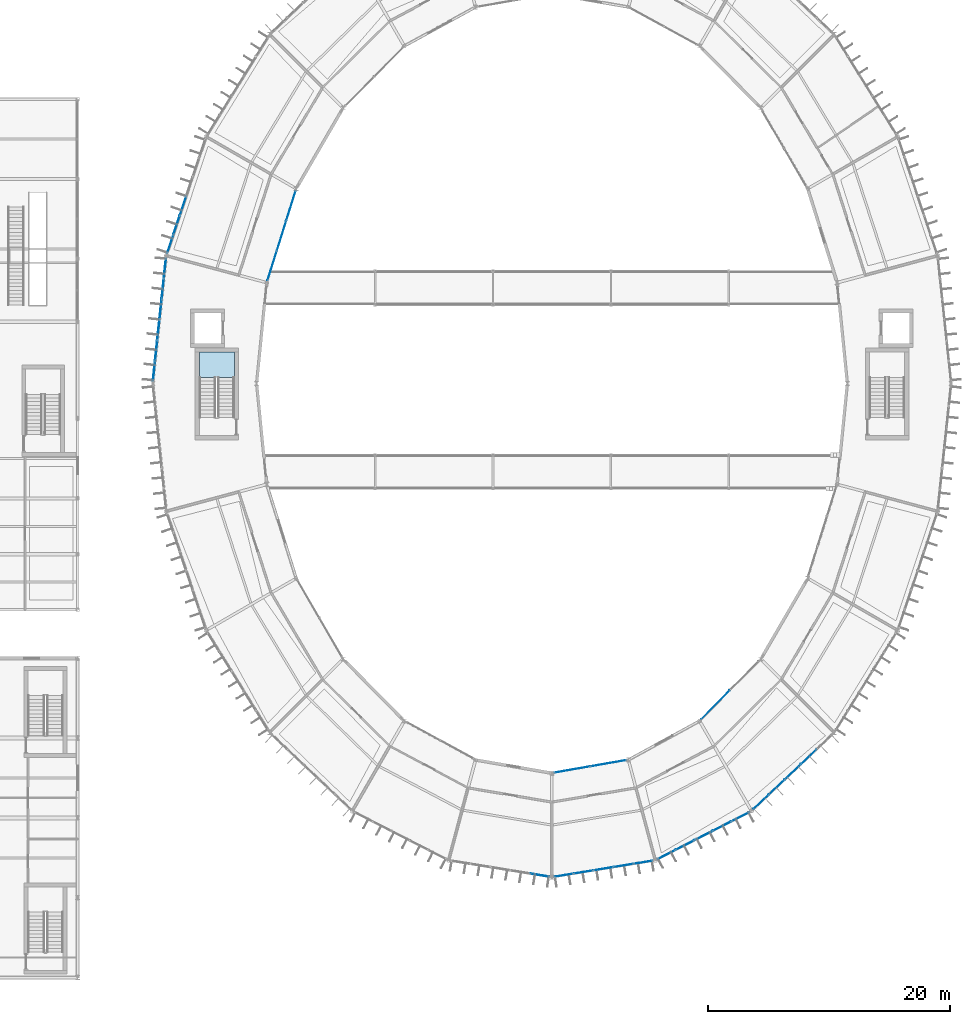
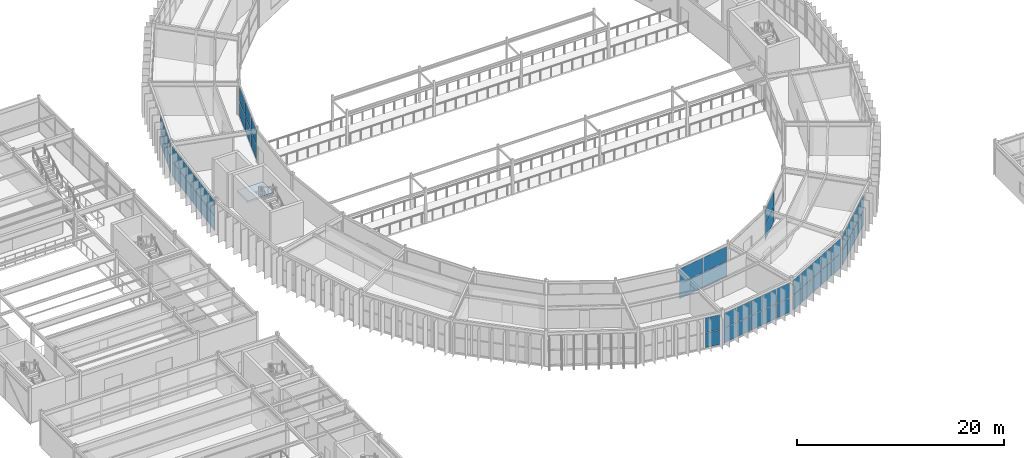
# One storey, part 101 of 148: 60 plates, 1 slab, 10 elements without a shape of their own.
"""IFC4 building model written with IfcOpenShell, lengths in metres."""

import ifcopenshell
import ifcopenshell.guid

model = None  # the IFC model being written
_history = None  # IfcOwnerHistory: only IFC2X3 demands one
_inside = {}  # id of a spatial element -> (the spatial element, [elements in it])
_under = {}  # id of a project, library or spatial element -> (it, [spatial elements below it])
_declared = {}  # id of a project -> (the project, [libraries it declares])
_typed = {}  # id of a type object -> (the type object, [elements of that type])
_made_of = {}  # id of a material, layer set ... -> (it, [elements and type objects made of it])


def new_model(schema):
    """Start an empty IFC model of exactly this schema.

    Asked for "IFC4X3", IfcOpenShell would pick the latest addendum, in which some entities
    have other attributes; the version numbers below select the first issue.
    IFC2X3 requires an IfcOwnerHistory on every rooted entity: one is made here for all.
    """
    global model, _history
    if schema == "IFC4X3":
        model = ifcopenshell.file(schema_version=(4, 3, 0, 0))
    else:
        model = ifcopenshell.file(schema=schema)
    _inside.clear()
    _under.clear()
    _declared.clear()
    _typed.clear()
    _made_of.clear()
    _history = None
    if model.schema == "IFC2X3":
        org = make("IfcOrganization", Name="unknown")
        user = make(
            "IfcPersonAndOrganization",
            ThePerson=make("IfcPerson", FamilyName="unknown"),
            TheOrganization=org,
        )
        app = make(
            "IfcApplication",
            ApplicationDeveloper=org,
            Version="unknown",
            ApplicationFullName="unknown",
            ApplicationIdentifier="unknown",
        )
        _history = make(
            "IfcOwnerHistory",
            OwningUser=user,
            OwningApplication=app,
            ChangeAction="ADDED",
            CreationDate=0,
        )
    return model


def make(cls, **values):
    """One entity of the class cls with the attributes given. An attribute that is None is left unset."""
    return model.create_entity(
        cls, **{name: value for name, value in values.items() if value is not None}
    )


def rooted(cls, **values):
    """An entity with a GlobalId (a new one), such as an element, a storey or a relation."""
    return make(cls, GlobalId=ifcopenshell.guid.new(), OwnerHistory=_history, **values)


def si_unit(unit_type, name, prefix=None):
    """IfcSIUnit, for example si_unit("LENGTHUNIT", "METRE", prefix="MILLI")."""
    return make("IfcSIUnit", UnitType=unit_type, Prefix=prefix, Name=name)


def assignment(units):
    """IfcUnitAssignment: the units of a project."""
    return None if units is None else make("IfcUnitAssignment", Units=units)


def point(xyz):
    """IfcCartesianPoint."""
    return None if xyz is None else make("IfcCartesianPoint", Coordinates=xyz)


def direction(xyz):
    """IfcDirection."""
    return None if xyz is None else make("IfcDirection", DirectionRatios=xyz)


def frame(location, z_axis=None, x_axis=None):
    """IfcAxis2Placement3D, a coordinate frame: its origin and axes. An axis left out is left unset."""
    return make(
        "IfcAxis2Placement3D",
        Location=point(location),
        Axis=direction(z_axis),
        RefDirection=direction(x_axis),
    )


def frame_2d(location, x_axis=None):
    """IfcAxis2Placement2D, a coordinate frame in the plane: its origin and x axis."""
    return make(
        "IfcAxis2Placement2D", Location=point(location), RefDirection=direction(x_axis)
    )


def origin():
    """The frame at (0, 0, 0) with its axes left unset."""
    return frame((0.0, 0.0, 0.0))


def origin_2d():
    """The frame at (0, 0) in the plane with its x axis left unset."""
    return frame_2d((0.0, 0.0))


def place(relative_to, where):
    """IfcLocalPlacement: puts the frame where relative to a parent placement (None: the world)."""
    return make(
        "IfcLocalPlacement", PlacementRelTo=relative_to, RelativePlacement=where
    )


def context(
    kind, dimensions, precision=None, world=None, true_north=None, identifier=None
):
    """IfcGeometricRepresentationContext, for example the 3D "Model" context."""
    return make(
        "IfcGeometricRepresentationContext",
        ContextIdentifier=identifier,
        ContextType=kind,
        CoordinateSpaceDimension=dimensions,
        Precision=precision,
        WorldCoordinateSystem=world,
        TrueNorth=true_north,
    )


def subcontext(parent, identifier, kind, view, scale=None):
    """IfcGeometricRepresentationSubContext, for example "Body" below "Model"."""
    return make(
        "IfcGeometricRepresentationSubContext",
        ContextIdentifier=identifier,
        ContextType=kind,
        ParentContext=parent,
        TargetScale=scale,
        TargetView=view,
    )


def project(units=None, contexts=None):
    """IfcProject with its units and contexts."""
    return rooted(
        "IfcProject",
        Name="project",
        RepresentationContexts=contexts,
        UnitsInContext=assignment(units),
    )


def spatial(cls, under=None, at=None, **own):
    """A site, building, storey or space (cls), placed at a placement, below another one or the project."""
    s = rooted(cls, ObjectPlacement=at, **own)
    if under is not None:
        _under.setdefault(under.id(), (under, []))[1].append(s)
    return s


def polyline(points):
    """IfcPolyline through the points."""
    return make("IfcPolyline", Points=[point(p) for p in points])


def profile(cls, at=None, kind="AREA", **sizes):
    """A parametric profile (cls). Its sizes go by their IFC names, for example OverallWidth=200.0."""
    return make(cls, ProfileType=kind, Position=at, **sizes)


def rectangle(**sizes):
    """IfcRectangleProfileDef."""
    return profile("IfcRectangleProfileDef", **sizes)


def outline(outer, holes=None, kind="AREA"):
    """IfcArbitraryClosedProfileDef: a profile drawn as a closed curve; with holes, ...WithVoids."""
    if holes is None:
        return make("IfcArbitraryClosedProfileDef", ProfileType=kind, OuterCurve=outer)
    return make(
        "IfcArbitraryProfileDefWithVoids",
        ProfileType=kind,
        OuterCurve=outer,
        InnerCurves=holes,
    )


def extrude(swept, where, along, depth):
    """IfcExtrudedAreaSolid: the profile swept, set in the frame where, extruded along a direction by depth."""
    return make(
        "IfcExtrudedAreaSolid",
        SweptArea=swept,
        Position=where,
        ExtrudedDirection=direction(along),
        Depth=depth,
    )


def shape(context_of_items, identifier, shape_type, items):
    """IfcShapeRepresentation: the items that make up one representation, for example the "Body"."""
    return make(
        "IfcShapeRepresentation",
        ContextOfItems=context_of_items,
        RepresentationIdentifier=identifier,
        RepresentationType=shape_type,
        Items=items,
    )


def material(Name=None, Category=None):
    """IfcMaterial."""
    return make("IfcMaterial", Name=Name, Category=Category)


def layer(
    of_material, thickness, ventilated=None, Name=None, Category=None, Priority=None
):
    """IfcMaterialLayer: one layer of a wall or slab, of a material (None: an air gap)."""
    return make(
        "IfcMaterialLayer",
        Material=of_material,
        LayerThickness=thickness,
        IsVentilated=ventilated,
        Name=Name,
        Category=Category,
        Priority=Priority,
    )


def layer_set(layers, Name=None):
    """IfcMaterialLayerSet."""
    return make("IfcMaterialLayerSet", MaterialLayers=layers, LayerSetName=Name)


def made_of(thing, what):
    """Note that an element or type object is made of a material, layer set ...; save() writes the relation."""
    if what is not None:
        _made_of.setdefault(what.id(), (what, []))[1].append(thing)
    return thing


def type_object(cls, material=None, **own):
    """A type object (cls), such as IfcWallType, which elements share."""
    return made_of(rooted(cls, **own), material)


def element(
    cls,
    number,
    at=None,
    inside=None,
    cuts=None,
    type_object=None,
    material=None,
    context=None,
    identifier="Body",
    shape_type=None,
    held_by="IfcProductDefinitionShape",
    body=None,
    shapes=None,
    **own,
):
    """One element of the class cls, such as IfcWall. Its Tag is "e" and its number.

    at: its placement. inside: the storey or other place that contains it. cuts: it is an
    opening in that element (IfcRelVoidsElement). A single representation is given by context,
    identifier, shape_type and body (its items); several are given by shapes. held_by: the class
    of the entity that holds the representations. save() writes the other relations.
    """
    e = rooted(cls, Tag="e%d" % number, ObjectPlacement=at, **own)
    if body is not None:
        shapes = [shape(context, identifier, shape_type, body)]
    if shapes is not None:
        e.Representation = make(held_by, Representations=shapes)
    if inside is not None:
        _inside.setdefault(inside.id(), (inside, []))[1].append(e)
    if cuts is not None:
        rooted(
            "IfcRelVoidsElement", RelatingBuildingElement=cuts, RelatedOpeningElement=e
        )
    if type_object is not None:
        _typed.setdefault(type_object.id(), (type_object, []))[1].append(e)
    return made_of(e, material)


def aggregate(whole, parts):
    """IfcRelAggregates: a whole, such as a stair, and the parts it consists of."""
    return rooted("IfcRelAggregates", RelatingObject=whole, RelatedObjects=parts)


def save(model, path):
    """Write the relations noted so far, then the file.

    IfcRelAggregates (storeys below a building ...), IfcRelContainedInSpatialStructure (elements
    in a storey), IfcRelDefinesByType, IfcRelAssociatesMaterial and IfcRelDeclares: one each for
    every whole, place, type object, material and project.
    """
    for whole, parts in _under.values():
        aggregate(whole, parts)
    for where, things in _inside.values():
        rooted(
            "IfcRelContainedInSpatialStructure",
            RelatedElements=things,
            RelatingStructure=where,
        )
    for kind, things in _typed.values():
        rooted("IfcRelDefinesByType", RelatedObjects=things, RelatingType=kind)
    for what, things in _made_of.values():
        rooted("IfcRelAssociatesMaterial", RelatedObjects=things, RelatingMaterial=what)
    for by, libraries in _declared.values():
        rooted("IfcRelDeclares", RelatingContext=by, RelatedDefinitions=libraries)
    model.write(path)


model = new_model("IFC4")

# Units and contexts
model_context = context("Model", 3, precision=1e-05, world=origin(), true_north=direction((0.0, 1.0)))
body_context = subcontext(model_context, "Body", "Model", "MODEL_VIEW")
ifc_project = project(units=[si_unit("LENGTHUNIT", "METRE"), si_unit("AREAUNIT", "SQUARE_METRE"), si_unit("VOLUMEUNIT", "CUBIC_METRE"), si_unit("PLANEANGLEUNIT", "RADIAN"), si_unit("MASSUNIT", "GRAM", prefix="KILO")], contexts=[model_context])

# Site, building, storey
site_placement = place(None, origin())
site = spatial("IfcSite", under=ifc_project, at=site_placement, CompositionType="ELEMENT")
building_placement = place(site_placement, origin())
building = spatial("IfcBuilding", under=site, at=building_placement, Name="Karori Crest Natural Sciences Institute", CompositionType="ELEMENT")
storey_placement = place(building_placement, frame((0.0, 0.0, 4.89990234375)))
storey = spatial("IfcBuildingStorey", under=building, at=storey_placement, Name="L01", CompositionType="ELEMENT", Elevation=4.89990234375)

# Curtain wall, plates
ifc_material_1 = material(Name="Anodised architectural aluminium 6063-T6", Category="aluminium")
curtain_wall_type_1 = type_object("IfcCurtainWallType", Name="CWT-11", PredefinedType="NOTDEFINED", material=ifc_material_1)
curtain_wall_1_placement = place(storey_placement, origin())
curtain_wall_1 = element("IfcCurtainWall", 1, at=curtain_wall_1_placement, inside=storey, type_object=curtain_wall_type_1, Name="Curtain wall CW-0046", PredefinedType="NOTDEFINED")
ifc_material_2 = material(Name="Double low-E laminated glass", Category="glass")
ifc_layer_1 = layer(ifc_material_2, 0.02392578125, Name="Double low-E laminated glass")
ifc_layer_set_1 = layer_set([ifc_layer_1], Name="Double low-E laminated glass")
plate_type_1 = type_object("IfcPlateType", Name="CWP-01", PredefinedType="CURTAIN_PANEL", material=ifc_layer_set_1)
plate_1_placement = place(storey_placement, frame((44.824951171875, 64.584716796875, 0.06005859375), z_axis=(0.0, 0.0, 1.0), x_axis=(-0.2994765864, -0.954103649609, 0.0)))
plate_1 = element("IfcPlate", 2, at=plate_1_placement, type_object=plate_type_1, Name="CW-0046 panel 1.1", PredefinedType="CURTAIN_PANEL", context=body_context, shape_type="SweptSolid", body=[
    extrude(rectangle(XDim=2.517822265625, YDim=0.02392578125, at=origin_2d()), origin(), (0.0, 0.0, 1.0), 1.735107421875),
])
plate_2_placement = place(storey_placement, frame((44.824951171875, 64.584716796875, 1.85498046875), z_axis=(0.0, 0.0, 1.0), x_axis=(-0.2994765864, -0.954103649609, 0.0)))
plate_2 = element("IfcPlate", 3, at=plate_2_placement, type_object=plate_type_1, Name="CW-0046 panel 1.2", PredefinedType="CURTAIN_PANEL", context=body_context, shape_type="SweptSolid", body=[
    extrude(rectangle(XDim=2.517822265625, YDim=0.02392578125, at=origin_2d()), origin(), (0.0, 0.0, 1.0), 1.735107421875),
])
plate_3_placement = place(storey_placement, frame((44.04638671875, 62.10498046875, 0.06005859375), z_axis=(0.0, 0.0, 1.0), x_axis=(-0.2994765864, -0.954103649609, 0.0)))
plate_3 = element("IfcPlate", 4, at=plate_3_placement, type_object=plate_type_1, Name="CW-0046 panel 2.1", PredefinedType="CURTAIN_PANEL", context=body_context, shape_type="SweptSolid", body=[
    extrude(rectangle(XDim=2.55029296875, YDim=0.02392578125, at=origin_2d()), origin(), (0.0, 0.0, 1.0), 1.735107421875),
])
plate_4_placement = place(storey_placement, frame((44.04638671875, 62.10498046875, 1.85498046875), z_axis=(0.0, 0.0, 1.0), x_axis=(-0.2994765864, -0.954103649609, 0.0)))
plate_4 = element("IfcPlate", 5, at=plate_4_placement, type_object=plate_type_1, Name="CW-0046 panel 2.2", PredefinedType="CURTAIN_PANEL", context=body_context, shape_type="SweptSolid", body=[
    extrude(rectangle(XDim=2.55029296875, YDim=0.02392578125, at=origin_2d()), origin(), (0.0, 0.0, 1.0), 1.735107421875),
])
plate_5_placement = place(storey_placement, frame((43.26806640625, 59.62548828125, 0.06005859375), z_axis=(0.0, 0.0, 1.0), x_axis=(-0.2994765864, -0.954103649609, 0.0)))
plate_5 = element("IfcPlate", 6, at=plate_5_placement, type_object=plate_type_1, Name="CW-0046 panel 3.1", PredefinedType="CURTAIN_PANEL", context=body_context, shape_type="SweptSolid", body=[
    extrude(rectangle(XDim=2.517822265625, YDim=0.02392578125, at=origin_2d()), origin(), (0.0, 0.0, 1.0), 1.735107421875),
])
plate_6_placement = place(storey_placement, frame((43.26806640625, 59.62548828125, 1.85498046875), z_axis=(0.0, 0.0, 1.0), x_axis=(-0.2994765864, -0.954103649609, 0.0)))
plate_6 = element("IfcPlate", 7, at=plate_6_placement, type_object=plate_type_1, Name="CW-0046 panel 3.2", PredefinedType="CURTAIN_PANEL", context=body_context, shape_type="SweptSolid", body=[
    extrude(rectangle(XDim=2.517822265625, YDim=0.02392578125, at=origin_2d()), origin(), (0.0, 0.0, 1.0), 1.735107421875),
])
aggregate(curtain_wall_1, [plate_1, plate_2, plate_3, plate_4, plate_5, plate_6])

curtain_wall_type_2 = type_object("IfcCurtainWallType", Name="CWT-09", PredefinedType="NOTDEFINED", material=ifc_material_1)
curtain_wall_2_placement = place(storey_placement, origin())
curtain_wall_2 = element("IfcCurtainWall", 8, at=curtain_wall_2_placement, inside=storey, type_object=curtain_wall_type_2, Name="Curtain wall CW-0056", PredefinedType="NOTDEFINED")
plate_7_placement = place(storey_placement, frame((73.927490234375, 10.3251953125, 0.06494140625), z_axis=(0.0, 0.0, 1.0), x_axis=(-0.987010371927, -0.1606565458, 0.0)))
plate_7 = element("IfcPlate", 9, at=plate_7_placement, type_object=plate_type_1, Name="CW-0056 panel 1.1", PredefinedType="CURTAIN_PANEL", context=body_context, shape_type="SweptSolid", body=[
    extrude(rectangle(XDim=1.552001953125, YDim=0.02392578125, at=origin_2d()), origin(), (0.0, 0.0, 1.0), 1.715087890625),
])
plate_8_placement = place(storey_placement, frame((73.927490234375, 10.3251953125, 1.84521484375), z_axis=(0.0, 0.0, 1.0), x_axis=(-0.987010371927, -0.1606565458, 0.0)))
plate_8 = element("IfcPlate", 10, at=plate_8_placement, type_object=plate_type_1, Name="CW-0056 panel 1.2", PredefinedType="CURTAIN_PANEL", context=body_context, shape_type="SweptSolid", body=[
    extrude(rectangle(XDim=1.552001953125, YDim=0.02392578125, at=origin_2d()), origin(), (0.0, 0.0, 1.0), 1.715087890625),
])
plate_9_placement = place(storey_placement, frame((72.30322265625, 10.060791015625, 0.06494140625), z_axis=(0.0, 0.0, 1.0), x_axis=(-0.987010371927, -0.1606565458, 0.0)))
plate_9 = element("IfcPlate", 11, at=plate_9_placement, type_object=plate_type_1, Name="CW-0056 panel 2.1", PredefinedType="CURTAIN_PANEL", context=body_context, shape_type="SweptSolid", body=[
    extrude(rectangle(XDim=1.58935546875, YDim=0.02392578125, at=origin_2d()), origin(), (0.0, 0.0, 1.0), 1.715087890625),
])
plate_10_placement = place(storey_placement, frame((72.30322265625, 10.060791015625, 1.84521484375), z_axis=(0.0, 0.0, 1.0), x_axis=(-0.987010371927, -0.1606565458, 0.0)))
plate_10 = element("IfcPlate", 12, at=plate_10_placement, type_object=plate_type_1, Name="CW-0056 panel 2.2", PredefinedType="CURTAIN_PANEL", context=body_context, shape_type="SweptSolid", body=[
    extrude(rectangle(XDim=1.58935546875, YDim=0.02392578125, at=origin_2d()), origin(), (0.0, 0.0, 1.0), 1.715087890625),
])
plate_11_placement = place(storey_placement, frame((70.660400390625, 9.79345703125, 0.06494140625), z_axis=(0.0, 0.0, 1.0), x_axis=(-0.987010371927, -0.1606565458, 0.0)))
plate_11 = element("IfcPlate", 13, at=plate_11_placement, type_object=plate_type_1, Name="CW-0056 panel 3.1", PredefinedType="CURTAIN_PANEL", context=body_context, shape_type="SweptSolid", body=[
    extrude(rectangle(XDim=1.58935546875, YDim=0.02392578125, at=origin_2d()), origin(), (0.0, 0.0, 1.0), 1.715087890625),
])
plate_12_placement = place(storey_placement, frame((70.660400390625, 9.79345703125, 1.84521484375), z_axis=(0.0, 0.0, 1.0), x_axis=(-0.987010371927, -0.1606565458, 0.0)))
plate_12 = element("IfcPlate", 14, at=plate_12_placement, type_object=plate_type_1, Name="CW-0056 panel 3.2", PredefinedType="CURTAIN_PANEL", context=body_context, shape_type="SweptSolid", body=[
    extrude(rectangle(XDim=1.58935546875, YDim=0.02392578125, at=origin_2d()), origin(), (0.0, 0.0, 1.0), 1.715087890625),
])
plate_13_placement = place(storey_placement, frame((69.017578125, 9.526123046875, 0.06494140625), z_axis=(0.0, 0.0, 1.0), x_axis=(-0.987010371927, -0.1606565458, 0.0)))
plate_13 = element("IfcPlate", 15, at=plate_13_placement, type_object=plate_type_1, Name="CW-0056 panel 4.1", PredefinedType="CURTAIN_PANEL", context=body_context, shape_type="SweptSolid", body=[
    extrude(rectangle(XDim=1.58935546875, YDim=0.02392578125, at=origin_2d()), origin(), (0.0, 0.0, 1.0), 1.715087890625),
])
plate_14_placement = place(storey_placement, frame((69.017578125, 9.526123046875, 1.84521484375), z_axis=(0.0, 0.0, 1.0), x_axis=(-0.987010371927, -0.1606565458, 0.0)))
plate_14 = element("IfcPlate", 16, at=plate_14_placement, type_object=plate_type_1, Name="CW-0056 panel 4.2", PredefinedType="CURTAIN_PANEL", context=body_context, shape_type="SweptSolid", body=[
    extrude(rectangle(XDim=1.58935546875, YDim=0.02392578125, at=origin_2d()), origin(), (0.0, 0.0, 1.0), 1.715087890625),
])
plate_15_placement = place(storey_placement, frame((67.393310546875, 9.26171875, 0.06494140625), z_axis=(0.0, 0.0, 1.0), x_axis=(-0.987010371927, -0.1606565458, 0.0)))
plate_15 = element("IfcPlate", 17, at=plate_15_placement, type_object=plate_type_1, Name="CW-0056 panel 5.1", PredefinedType="CURTAIN_PANEL", context=body_context, shape_type="SweptSolid", body=[
    extrude(rectangle(XDim=1.552001953125, YDim=0.02392578125, at=origin_2d()), origin(), (0.0, 0.0, 1.0), 1.715087890625),
])
plate_16_placement = place(storey_placement, frame((67.393310546875, 9.26171875, 1.84521484375), z_axis=(0.0, 0.0, 1.0), x_axis=(-0.987010371927, -0.1606565458, 0.0)))
plate_16 = element("IfcPlate", 18, at=plate_16_placement, type_object=plate_type_1, Name="CW-0056 panel 5.2", PredefinedType="CURTAIN_PANEL", context=body_context, shape_type="SweptSolid", body=[
    extrude(rectangle(XDim=1.552001953125, YDim=0.02392578125, at=origin_2d()), origin(), (0.0, 0.0, 1.0), 1.715087890625),
])
aggregate(curtain_wall_2, [plate_7, plate_8, plate_9, plate_10, plate_11, plate_12, plate_13, plate_14, plate_15, plate_16])

curtain_wall_type_3 = type_object("IfcCurtainWallType", Name="CWT-14", PredefinedType="NOTDEFINED", material=ifc_material_1)
curtain_wall_3_placement = place(storey_placement, origin())
curtain_wall_3 = element("IfcCurtainWall", 19, at=curtain_wall_3_placement, inside=storey, type_object=curtain_wall_type_3, Name="Curtain wall CW-0057", PredefinedType="NOTDEFINED")
plate_17_placement = place(storey_placement, frame((68.07080078125, 17.990234375, 0.06005859375), z_axis=(0.0, 0.0, 1.0), x_axis=(0.985241442821, 0.171170381048, 0.0)))
plate_17 = element("IfcPlate", 20, at=plate_17_placement, type_object=plate_type_1, Name="CW-0057 panel 1.1", PredefinedType="CURTAIN_PANEL", context=body_context, shape_type="SweptSolid", body=[
    extrude(rectangle(XDim=2.9541015625, YDim=0.02392578125, at=origin_2d()), origin(), (0.0, 0.0, 1.0), 1.735107421875),
])
plate_18_placement = place(storey_placement, frame((68.07080078125, 17.990234375, 1.85498046875), z_axis=(0.0, 0.0, 1.0), x_axis=(0.985241442821, 0.171170381048, 0.0)))
plate_18 = element("IfcPlate", 21, at=plate_18_placement, type_object=plate_type_1, Name="CW-0057 panel 1.2", PredefinedType="CURTAIN_PANEL", context=body_context, shape_type="SweptSolid", body=[
    extrude(rectangle(XDim=2.9541015625, YDim=0.02392578125, at=origin_2d()), origin(), (0.0, 0.0, 1.0), 1.735107421875),
])
plate_19_placement = place(storey_placement, frame((71.04541015625, 18.507080078125, 0.06005859375), z_axis=(0.0, 0.0, 1.0), x_axis=(0.985241442821, 0.171170381048, 0.0)))
plate_19 = element("IfcPlate", 22, at=plate_19_placement, type_object=plate_type_1, Name="CW-0057 panel 2.1", PredefinedType="CURTAIN_PANEL", context=body_context, shape_type="SweptSolid", body=[
    extrude(rectangle(XDim=2.9541015625, YDim=0.02392578125, at=origin_2d()), origin(), (0.0, 0.0, 1.0), 1.735107421875),
])
plate_20_placement = place(storey_placement, frame((71.04541015625, 18.507080078125, 1.85498046875), z_axis=(0.0, 0.0, 1.0), x_axis=(0.985241442821, 0.171170381048, 0.0)))
plate_20 = element("IfcPlate", 23, at=plate_20_placement, type_object=plate_type_1, Name="CW-0057 panel 2.2", PredefinedType="CURTAIN_PANEL", context=body_context, shape_type="SweptSolid", body=[
    extrude(rectangle(XDim=2.9541015625, YDim=0.02392578125, at=origin_2d()), origin(), (0.0, 0.0, 1.0), 1.735107421875),
])
aggregate(curtain_wall_3, [plate_17, plate_18, plate_19, plate_20])

curtain_wall_4_placement = place(storey_placement, origin())
curtain_wall_4 = element("IfcCurtainWall", 24, at=curtain_wall_4_placement, inside=storey, type_object=curtain_wall_type_1, Name="Curtain wall CW-0060", PredefinedType="NOTDEFINED")
plate_21_placement = place(storey_placement, frame((79.90771484375, 23.338134765625, 0.06005859375), z_axis=(0.0, 0.0, 1.0), x_axis=(0.70265631089, 0.71152941525, 0.0)))
plate_21 = element("IfcPlate", 25, at=plate_21_placement, type_object=plate_type_1, Name="CW-0060 panel 1.1", PredefinedType="CURTAIN_PANEL", context=body_context, shape_type="SweptSolid", body=[
    extrude(rectangle(XDim=3.322998046875, YDim=0.02392578125, at=origin_2d()), origin(), (0.0, 0.0, 1.0), 1.735107421875),
])
plate_22_placement = place(storey_placement, frame((79.90771484375, 23.338134765625, 1.85498046875), z_axis=(0.0, 0.0, 1.0), x_axis=(0.70265631089, 0.71152941525, 0.0)))
plate_22 = element("IfcPlate", 26, at=plate_22_placement, type_object=plate_type_1, Name="CW-0060 panel 1.2", PredefinedType="CURTAIN_PANEL", context=body_context, shape_type="SweptSolid", body=[
    extrude(rectangle(XDim=3.322998046875, YDim=0.02392578125, at=origin_2d()), origin(), (0.0, 0.0, 1.0), 1.735107421875),
])
aggregate(curtain_wall_4, [plate_21, plate_22])

curtain_wall_type_4 = type_object("IfcCurtainWallType", Name="CWT-01", PredefinedType="NOTDEFINED", material=ifc_material_1)
curtain_wall_5_placement = place(storey_placement, origin())
curtain_wall_5 = element("IfcCurtainWall", 27, at=curtain_wall_5_placement, inside=storey, type_object=curtain_wall_type_4, Name="Curtain wall CW-0045", PredefinedType="NOTDEFINED")
ifc_layer_2 = layer(ifc_material_2, 0.033935546875, Name="Double low-E laminated glass")
ifc_layer_set_2 = layer_set([ifc_layer_2], Name="Double low-E laminated glass")
plate_type_2 = type_object("IfcPlateType", Name="CWP-02", PredefinedType="CURTAIN_PANEL", material=ifc_layer_set_2)
plate_23_placement = place(storey_placement, frame((34.846923828125, 61.4228515625, 0.06494140625), z_axis=(0.0, 0.0, 1.0), x_axis=(0.317685267462, 0.948196219586, 0.0)))
plate_23 = element("IfcPlate", 28, at=plate_23_placement, type_object=plate_type_2, Name="CW-0045 panel 1.1", PredefinedType="CURTAIN_PANEL", context=body_context, shape_type="SweptSolid", body=[
    extrude(rectangle(XDim=1.561279296875, YDim=0.033935546875, at=origin_2d()), origin(), (0.0, 0.0, 1.0), 1.715087890625),
])
plate_24_placement = place(storey_placement, frame((34.846923828125, 61.4228515625, 1.84521484375), z_axis=(0.0, 0.0, 1.0), x_axis=(0.317685267462, 0.948196219586, 0.0)))
plate_24 = element("IfcPlate", 29, at=plate_24_placement, type_object=plate_type_2, Name="CW-0045 panel 1.2", PredefinedType="CURTAIN_PANEL", context=body_context, shape_type="SweptSolid", body=[
    extrude(rectangle(XDim=1.561279296875, YDim=0.033935546875, at=origin_2d()), origin(), (0.0, 0.0, 1.0), 1.715087890625),
])
plate_25_placement = place(storey_placement, frame((35.372802734375, 62.991943359375, 0.06494140625), z_axis=(0.0, 0.0, 1.0), x_axis=(0.317685267462, 0.948196219586, 0.0)))
plate_25 = element("IfcPlate", 30, at=plate_25_placement, type_object=plate_type_2, Name="CW-0045 panel 2.1", PredefinedType="CURTAIN_PANEL", context=body_context, shape_type="SweptSolid", body=[
    extrude(rectangle(XDim=1.5986328125, YDim=0.033935546875, at=origin_2d()), origin(), (0.0, 0.0, 1.0), 1.715087890625),
])
plate_26_placement = place(storey_placement, frame((35.372802734375, 62.991943359375, 1.84521484375), z_axis=(0.0, 0.0, 1.0), x_axis=(0.317685267462, 0.948196219586, 0.0)))
plate_26 = element("IfcPlate", 31, at=plate_26_placement, type_object=plate_type_2, Name="CW-0045 panel 2.2", PredefinedType="CURTAIN_PANEL", context=body_context, shape_type="SweptSolid", body=[
    extrude(rectangle(XDim=1.5986328125, YDim=0.033935546875, at=origin_2d()), origin(), (0.0, 0.0, 1.0), 1.715087890625),
])
plate_27_placement = place(storey_placement, frame((35.904541015625, 64.578857421875, 0.06494140625), z_axis=(0.0, 0.0, 1.0), x_axis=(0.317685267462, 0.948196219586, 0.0)))
plate_27 = element("IfcPlate", 32, at=plate_27_placement, type_object=plate_type_2, Name="CW-0045 panel 3.1", PredefinedType="CURTAIN_PANEL", context=body_context, shape_type="SweptSolid", body=[
    extrude(rectangle(XDim=1.5986328125, YDim=0.033935546875, at=origin_2d()), origin(), (0.0, 0.0, 1.0), 1.715087890625),
])
plate_28_placement = place(storey_placement, frame((35.904541015625, 64.578857421875, 1.84521484375), z_axis=(0.0, 0.0, 1.0), x_axis=(0.317685267462, 0.948196219586, 0.0)))
plate_28 = element("IfcPlate", 33, at=plate_28_placement, type_object=plate_type_2, Name="CW-0045 panel 3.2", PredefinedType="CURTAIN_PANEL", context=body_context, shape_type="SweptSolid", body=[
    extrude(rectangle(XDim=1.5986328125, YDim=0.033935546875, at=origin_2d()), origin(), (0.0, 0.0, 1.0), 1.715087890625),
])
aggregate(curtain_wall_5, [plate_23, plate_24, plate_25, plate_26, plate_27, plate_28])

curtain_wall_type_5 = type_object("IfcCurtainWallType", Name="CWT-10", PredefinedType="NOTDEFINED", material=ifc_material_1)
curtain_wall_6_placement = place(storey_placement, origin())
curtain_wall_6 = element("IfcCurtainWall", 34, at=curtain_wall_6_placement, inside=storey, type_object=curtain_wall_type_5, Name="Curtain wall CW-0058", PredefinedType="NOTDEFINED")
plate_29_placement = place(storey_placement, frame((81.974853515625, 14.092529296875, 0.06005859375), z_axis=(0.0, 0.0, 1.0), x_axis=(-0.890065326982, -0.455832988828, 0.0)))
plate_29 = element("IfcPlate", 35, at=plate_29_placement, type_object=plate_type_2, Name="CW-0058 panel 1.1", PredefinedType="CURTAIN_PANEL", context=body_context, shape_type="SweptSolid", body=[
    extrude(rectangle(XDim=1.608642578125, YDim=0.033935546875, at=origin_2d()), origin(), (0.0, 0.0, 1.0), 1.722412109375),
])
plate_30_placement = place(storey_placement, frame((81.974853515625, 14.092529296875, 1.8427734375), z_axis=(0.0, 0.0, 1.0), x_axis=(-0.890065326982, -0.455832988828, 0.0)))
plate_30 = element("IfcPlate", 36, at=plate_30_placement, type_object=plate_type_2, Name="CW-0058 panel 1.2", PredefinedType="CURTAIN_PANEL", context=body_context, shape_type="SweptSolid", body=[
    extrude(rectangle(XDim=1.608642578125, YDim=0.033935546875, at=origin_2d()), origin(), (0.0, 0.0, 1.0), 1.722412109375),
])
plate_31_placement = place(storey_placement, frame((80.45947265625, 13.31640625, 0.06005859375), z_axis=(0.0, 0.0, 1.0), x_axis=(-0.890065326982, -0.455832988828, 0.0)))
plate_31 = element("IfcPlate", 37, at=plate_31_placement, type_object=plate_type_2, Name="CW-0058 panel 2.1", PredefinedType="CURTAIN_PANEL", context=body_context, shape_type="SweptSolid", body=[
    extrude(rectangle(XDim=1.646240234375, YDim=0.033935546875, at=origin_2d()), origin(), (0.0, 0.0, 1.0), 1.722412109375),
])
plate_32_placement = place(storey_placement, frame((80.45947265625, 13.31640625, 1.8427734375), z_axis=(0.0, 0.0, 1.0), x_axis=(-0.890065326982, -0.455832988828, 0.0)))
plate_32 = element("IfcPlate", 38, at=plate_32_placement, type_object=plate_type_2, Name="CW-0058 panel 2.2", PredefinedType="CURTAIN_PANEL", context=body_context, shape_type="SweptSolid", body=[
    extrude(rectangle(XDim=1.646240234375, YDim=0.033935546875, at=origin_2d()), origin(), (0.0, 0.0, 1.0), 1.722412109375),
])
plate_33_placement = place(storey_placement, frame((78.927490234375, 12.53173828125, 0.06005859375), z_axis=(0.0, 0.0, 1.0), x_axis=(-0.890065326982, -0.455832988828, 0.0)))
plate_33 = element("IfcPlate", 39, at=plate_33_placement, type_object=plate_type_2, Name="CW-0058 panel 3.1", PredefinedType="CURTAIN_PANEL", context=body_context, shape_type="SweptSolid", body=[
    extrude(rectangle(XDim=1.646240234375, YDim=0.033935546875, at=origin_2d()), origin(), (0.0, 0.0, 1.0), 1.722412109375),
])
plate_34_placement = place(storey_placement, frame((78.927490234375, 12.53173828125, 1.8427734375), z_axis=(0.0, 0.0, 1.0), x_axis=(-0.890065326982, -0.455832988828, 0.0)))
plate_34 = element("IfcPlate", 40, at=plate_34_placement, type_object=plate_type_2, Name="CW-0058 panel 3.2", PredefinedType="CURTAIN_PANEL", context=body_context, shape_type="SweptSolid", body=[
    extrude(rectangle(XDim=1.646240234375, YDim=0.033935546875, at=origin_2d()), origin(), (0.0, 0.0, 1.0), 1.722412109375),
])
plate_35_placement = place(storey_placement, frame((77.3955078125, 11.747314453125, 0.06005859375), z_axis=(0.0, 0.0, 1.0), x_axis=(-0.890065326982, -0.455832988828, 0.0)))
plate_35 = element("IfcPlate", 41, at=plate_35_placement, type_object=plate_type_2, Name="CW-0058 panel 4.1", PredefinedType="CURTAIN_PANEL", context=body_context, shape_type="SweptSolid", body=[
    extrude(rectangle(XDim=1.646240234375, YDim=0.033935546875, at=origin_2d()), origin(), (0.0, 0.0, 1.0), 1.722412109375),
])
plate_36_placement = place(storey_placement, frame((77.3955078125, 11.747314453125, 1.8427734375), z_axis=(0.0, 0.0, 1.0), x_axis=(-0.890065326982, -0.455832988828, 0.0)))
plate_36 = element("IfcPlate", 42, at=plate_36_placement, type_object=plate_type_2, Name="CW-0058 panel 4.2", PredefinedType="CURTAIN_PANEL", context=body_context, shape_type="SweptSolid", body=[
    extrude(rectangle(XDim=1.646240234375, YDim=0.033935546875, at=origin_2d()), origin(), (0.0, 0.0, 1.0), 1.722412109375),
])
plate_37_placement = place(storey_placement, frame((75.880126953125, 10.97119140625, 0.06005859375), z_axis=(0.0, 0.0, 1.0), x_axis=(-0.890065326982, -0.455832988828, 0.0)))
plate_37 = element("IfcPlate", 43, at=plate_37_placement, type_object=plate_type_2, Name="CW-0058 panel 5.1", PredefinedType="CURTAIN_PANEL", context=body_context, shape_type="SweptSolid", body=[
    extrude(rectangle(XDim=1.608642578125, YDim=0.033935546875, at=origin_2d()), origin(), (0.0, 0.0, 1.0), 1.722412109375),
])
plate_38_placement = place(storey_placement, frame((75.880126953125, 10.97119140625, 1.8427734375), z_axis=(0.0, 0.0, 1.0), x_axis=(-0.890065326982, -0.455832988828, 0.0)))
plate_38 = element("IfcPlate", 44, at=plate_38_placement, type_object=plate_type_2, Name="CW-0058 panel 5.2", PredefinedType="CURTAIN_PANEL", context=body_context, shape_type="SweptSolid", body=[
    extrude(rectangle(XDim=1.608642578125, YDim=0.033935546875, at=origin_2d()), origin(), (0.0, 0.0, 1.0), 1.722412109375),
])
aggregate(curtain_wall_6, [plate_29, plate_30, plate_31, plate_32, plate_33, plate_34, plate_35, plate_36, plate_37, plate_38])

curtain_wall_type_6 = type_object("IfcCurtainWallType", Name="CWT-02", PredefinedType="NOTDEFINED", material=ifc_material_1)
curtain_wall_7_placement = place(storey_placement, origin())
curtain_wall_7 = element("IfcCurtainWall", 45, at=curtain_wall_7_placement, inside=storey, type_object=curtain_wall_type_6, Name="Curtain wall CW-0047", PredefinedType="NOTDEFINED")
ifc_layer_3 = layer(ifc_material_2, 0.0439453125, Name="Double low-E laminated glass")
ifc_layer_set_3 = layer_set([ifc_layer_3], Name="Double low-E laminated glass")
plate_type_3 = type_object("IfcPlateType", Name="CWP-03", PredefinedType="CURTAIN_PANEL", material=ifc_layer_set_3)
plate_39_placement = place(storey_placement, frame((33.510009765625, 50.933349609375, 0.06005859375), z_axis=(0.0, 0.0, 1.0), x_axis=(0.105884329618, 0.994378453478, 0.0)))
plate_39 = element("IfcPlate", 46, at=plate_39_placement, type_object=plate_type_3, Name="CW-0047 panel 1.1", PredefinedType="CURTAIN_PANEL", context=body_context, shape_type="SweptSolid", body=[
    extrude(rectangle(XDim=1.603759765625, YDim=0.0439453125, at=origin_2d()), origin(), (0.0, 0.0, 1.0), 1.722412109375),
])
plate_40_placement = place(storey_placement, frame((33.510009765625, 50.933349609375, 1.8427734375), z_axis=(0.0, 0.0, 1.0), x_axis=(0.105884329618, 0.994378453478, 0.0)))
plate_40 = element("IfcPlate", 47, at=plate_40_placement, type_object=plate_type_3, Name="CW-0047 panel 1.2", PredefinedType="CURTAIN_PANEL", context=body_context, shape_type="SweptSolid", body=[
    extrude(rectangle(XDim=1.603759765625, YDim=0.0439453125, at=origin_2d()), origin(), (0.0, 0.0, 1.0), 1.722412109375),
])
plate_41_placement = place(storey_placement, frame((33.689697265625, 52.621337890625, 0.06005859375), z_axis=(0.0, 0.0, 1.0), x_axis=(0.105884329618, 0.994378453478, 0.0)))
plate_41 = element("IfcPlate", 48, at=plate_41_placement, type_object=plate_type_3, Name="CW-0047 panel 2.1", PredefinedType="CURTAIN_PANEL", context=body_context, shape_type="SweptSolid", body=[
    extrude(rectangle(XDim=1.64111328125, YDim=0.0439453125, at=origin_2d()), origin(), (0.0, 0.0, 1.0), 1.722412109375),
])
plate_42_placement = place(storey_placement, frame((33.689697265625, 52.621337890625, 1.8427734375), z_axis=(0.0, 0.0, 1.0), x_axis=(0.105884329618, 0.994378453478, 0.0)))
plate_42 = element("IfcPlate", 49, at=plate_42_placement, type_object=plate_type_3, Name="CW-0047 panel 2.2", PredefinedType="CURTAIN_PANEL", context=body_context, shape_type="SweptSolid", body=[
    extrude(rectangle(XDim=1.64111328125, YDim=0.0439453125, at=origin_2d()), origin(), (0.0, 0.0, 1.0), 1.722412109375),
])
plate_43_placement = place(storey_placement, frame((33.87158203125, 54.327880859375, 0.06005859375), z_axis=(0.0, 0.0, 1.0), x_axis=(0.105884329618, 0.994378453478, 0.0)))
plate_43 = element("IfcPlate", 50, at=plate_43_placement, type_object=plate_type_3, Name="CW-0047 panel 3.1", PredefinedType="CURTAIN_PANEL", context=body_context, shape_type="SweptSolid", body=[
    extrude(rectangle(XDim=1.64111328125, YDim=0.0439453125, at=origin_2d()), origin(), (0.0, 0.0, 1.0), 1.722412109375),
])
plate_44_placement = place(storey_placement, frame((33.87158203125, 54.327880859375, 1.8427734375), z_axis=(0.0, 0.0, 1.0), x_axis=(0.105884329618, 0.994378453478, 0.0)))
plate_44 = element("IfcPlate", 51, at=plate_44_placement, type_object=plate_type_3, Name="CW-0047 panel 3.2", PredefinedType="CURTAIN_PANEL", context=body_context, shape_type="SweptSolid", body=[
    extrude(rectangle(XDim=1.64111328125, YDim=0.0439453125, at=origin_2d()), origin(), (0.0, 0.0, 1.0), 1.722412109375),
])
plate_45_placement = place(storey_placement, frame((34.05322265625, 56.034423828125, 0.06005859375), z_axis=(0.0, 0.0, 1.0), x_axis=(0.105884329618, 0.994378453478, 0.0)))
plate_45 = element("IfcPlate", 52, at=plate_45_placement, type_object=plate_type_3, Name="CW-0047 panel 4.1", PredefinedType="CURTAIN_PANEL", context=body_context, shape_type="SweptSolid", body=[
    extrude(rectangle(XDim=1.64111328125, YDim=0.0439453125, at=origin_2d()), origin(), (0.0, 0.0, 1.0), 1.722412109375),
])
plate_46_placement = place(storey_placement, frame((34.05322265625, 56.034423828125, 1.8427734375), z_axis=(0.0, 0.0, 1.0), x_axis=(0.105884329618, 0.994378453478, 0.0)))
plate_46 = element("IfcPlate", 53, at=plate_46_placement, type_object=plate_type_3, Name="CW-0047 panel 4.2", PredefinedType="CURTAIN_PANEL", context=body_context, shape_type="SweptSolid", body=[
    extrude(rectangle(XDim=1.64111328125, YDim=0.0439453125, at=origin_2d()), origin(), (0.0, 0.0, 1.0), 1.722412109375),
])
plate_47_placement = place(storey_placement, frame((34.23486328125, 57.740966796875, 0.06005859375), z_axis=(0.0, 0.0, 1.0), x_axis=(0.105884329618, 0.994378453478, 0.0)))
plate_47 = element("IfcPlate", 54, at=plate_47_placement, type_object=plate_type_3, Name="CW-0047 panel 5.1", PredefinedType="CURTAIN_PANEL", context=body_context, shape_type="SweptSolid", body=[
    extrude(rectangle(XDim=1.64111328125, YDim=0.0439453125, at=origin_2d()), origin(), (0.0, 0.0, 1.0), 1.722412109375),
])
plate_48_placement = place(storey_placement, frame((34.23486328125, 57.740966796875, 1.8427734375), z_axis=(0.0, 0.0, 1.0), x_axis=(0.105884329618, 0.994378453478, 0.0)))
plate_48 = element("IfcPlate", 55, at=plate_48_placement, type_object=plate_type_3, Name="CW-0047 panel 5.2", PredefinedType="CURTAIN_PANEL", context=body_context, shape_type="SweptSolid", body=[
    extrude(rectangle(XDim=1.64111328125, YDim=0.0439453125, at=origin_2d()), origin(), (0.0, 0.0, 1.0), 1.722412109375),
])
plate_49_placement = place(storey_placement, frame((34.41455078125, 59.4287109375, 0.06005859375), z_axis=(0.0, 0.0, 1.0), x_axis=(0.105884329618, 0.994378453478, 0.0)))
plate_49 = element("IfcPlate", 56, at=plate_49_placement, type_object=plate_type_3, Name="CW-0047 panel 6.1", PredefinedType="CURTAIN_PANEL", context=body_context, shape_type="SweptSolid", body=[
    extrude(rectangle(XDim=1.603759765625, YDim=0.0439453125, at=origin_2d()), origin(), (0.0, 0.0, 1.0), 1.722412109375),
])
plate_50_placement = place(storey_placement, frame((34.41455078125, 59.4287109375, 1.8427734375), z_axis=(0.0, 0.0, 1.0), x_axis=(0.105884329618, 0.994378453478, 0.0)))
plate_50 = element("IfcPlate", 57, at=plate_50_placement, type_object=plate_type_3, Name="CW-0047 panel 6.2", PredefinedType="CURTAIN_PANEL", context=body_context, shape_type="SweptSolid", body=[
    extrude(rectangle(XDim=1.603759765625, YDim=0.0439453125, at=origin_2d()), origin(), (0.0, 0.0, 1.0), 1.722412109375),
])
aggregate(curtain_wall_7, [plate_39, plate_40, plate_41, plate_42, plate_43, plate_44, plate_45, plate_46, plate_47, plate_48, plate_49, plate_50])

curtain_wall_type_7 = type_object("IfcCurtainWallType", Name="CWT-08", PredefinedType="NOTDEFINED", material=ifc_material_1)
curtain_wall_8_placement = place(storey_placement, origin())
curtain_wall_8 = element("IfcCurtainWall", 58, at=curtain_wall_8_placement, inside=storey, type_object=curtain_wall_type_7, Name="Curtain wall CW-0055", PredefinedType="NOTDEFINED")
plate_51_placement = place(storey_placement, frame((65.405029296875, 9.261962890625, 0.06005859375), z_axis=(0.0, 0.0, 1.0), x_axis=(-0.987011117908, 0.160651962718, 0.0)))
plate_51 = element("IfcPlate", 59, at=plate_51_placement, type_object=plate_type_3, Name="CW-0055 panel 1.1", PredefinedType="CURTAIN_PANEL", context=body_context, shape_type="SweptSolid", body=[
    extrude(rectangle(XDim=1.55517578125, YDim=0.0439453125, at=origin_2d()), origin(), (0.0, 0.0, 1.0), 1.722412109375),
])
plate_52_placement = place(storey_placement, frame((65.405029296875, 9.261962890625, 1.8427734375), z_axis=(0.0, 0.0, 1.0), x_axis=(-0.987011117908, 0.160651962718, 0.0)))
plate_52 = element("IfcPlate", 60, at=plate_52_placement, type_object=plate_type_3, Name="CW-0055 panel 1.2", PredefinedType="CURTAIN_PANEL", context=body_context, shape_type="SweptSolid", body=[
    extrude(rectangle(XDim=1.55517578125, YDim=0.0439453125, at=origin_2d()), origin(), (0.0, 0.0, 1.0), 1.722412109375),
])
aggregate(curtain_wall_8, [plate_51, plate_52])

curtain_wall_9_placement = place(storey_placement, origin())
curtain_wall_9 = element("IfcCurtainWall", 61, at=curtain_wall_9_placement, inside=storey, type_object=curtain_wall_type_4, Name="Curtain wall CW-0059", PredefinedType="NOTDEFINED")
plate_53_placement = place(storey_placement, frame((87.611083984375, 19.03564453125, 0.06494140625), z_axis=(0.0, 0.0, 1.0), x_axis=(-0.725472753897, -0.688250886925, 0.0)))
plate_53 = element("IfcPlate", 62, at=plate_53_placement, type_object=plate_type_3, Name="CW-0059 panel 2.1", PredefinedType="CURTAIN_PANEL", context=body_context, shape_type="SweptSolid", body=[
    extrude(rectangle(XDim=1.734619140625, YDim=0.0439453125, at=origin_2d()), origin(), (0.0, 0.0, 1.0), 1.715087890625),
])
plate_54_placement = place(storey_placement, frame((87.611083984375, 19.03564453125, 1.84521484375), z_axis=(0.0, 0.0, 1.0), x_axis=(-0.725472753897, -0.688250886925, 0.0)))
plate_54 = element("IfcPlate", 63, at=plate_54_placement, type_object=plate_type_3, Name="CW-0059 panel 2.2", PredefinedType="CURTAIN_PANEL", context=body_context, shape_type="SweptSolid", body=[
    extrude(rectangle(XDim=1.734619140625, YDim=0.0439453125, at=origin_2d()), origin(), (0.0, 0.0, 1.0), 1.715087890625),
])
plate_55_placement = place(storey_placement, frame((86.29833984375, 17.7900390625, 0.06494140625), z_axis=(0.0, 0.0, 1.0), x_axis=(-0.725472753897, -0.688250886925, 0.0)))
plate_55 = element("IfcPlate", 64, at=plate_55_placement, type_object=plate_type_3, Name="CW-0059 panel 3.1", PredefinedType="CURTAIN_PANEL", context=body_context, shape_type="SweptSolid", body=[
    extrude(rectangle(XDim=1.734619140625, YDim=0.0439453125, at=origin_2d()), origin(), (0.0, 0.0, 1.0), 1.715087890625),
])
plate_56_placement = place(storey_placement, frame((86.29833984375, 17.7900390625, 1.84521484375), z_axis=(0.0, 0.0, 1.0), x_axis=(-0.725472753897, -0.688250886925, 0.0)))
plate_56 = element("IfcPlate", 65, at=plate_56_placement, type_object=plate_type_3, Name="CW-0059 panel 3.2", PredefinedType="CURTAIN_PANEL", context=body_context, shape_type="SweptSolid", body=[
    extrude(rectangle(XDim=1.734619140625, YDim=0.0439453125, at=origin_2d()), origin(), (0.0, 0.0, 1.0), 1.715087890625),
])
plate_57_placement = place(storey_placement, frame((84.9853515625, 16.544677734375, 0.06494140625), z_axis=(0.0, 0.0, 1.0), x_axis=(-0.725472753897, -0.688250886925, 0.0)))
plate_57 = element("IfcPlate", 66, at=plate_57_placement, type_object=plate_type_3, Name="CW-0059 panel 4.1", PredefinedType="CURTAIN_PANEL", context=body_context, shape_type="SweptSolid", body=[
    extrude(rectangle(XDim=1.734619140625, YDim=0.0439453125, at=origin_2d()), origin(), (0.0, 0.0, 1.0), 1.715087890625),
])
plate_58_placement = place(storey_placement, frame((84.9853515625, 16.544677734375, 1.84521484375), z_axis=(0.0, 0.0, 1.0), x_axis=(-0.725472753897, -0.688250886925, 0.0)))
plate_58 = element("IfcPlate", 67, at=plate_58_placement, type_object=plate_type_3, Name="CW-0059 panel 4.2", PredefinedType="CURTAIN_PANEL", context=body_context, shape_type="SweptSolid", body=[
    extrude(rectangle(XDim=1.734619140625, YDim=0.0439453125, at=origin_2d()), origin(), (0.0, 0.0, 1.0), 1.715087890625),
])
plate_59_placement = place(storey_placement, frame((83.68603515625, 15.31201171875, 0.06494140625), z_axis=(0.0, 0.0, 1.0), x_axis=(-0.725472753897, -0.688250886925, 0.0)))
plate_59 = element("IfcPlate", 68, at=plate_59_placement, type_object=plate_type_3, Name="CW-0059 panel 5.1", PredefinedType="CURTAIN_PANEL", context=body_context, shape_type="SweptSolid", body=[
    extrude(rectangle(XDim=1.697265625, YDim=0.0439453125, at=origin_2d()), origin(), (0.0, 0.0, 1.0), 1.715087890625),
])
plate_60_placement = place(storey_placement, frame((83.68603515625, 15.31201171875, 1.84521484375), z_axis=(0.0, 0.0, 1.0), x_axis=(-0.725472753897, -0.688250886925, 0.0)))
plate_60 = element("IfcPlate", 69, at=plate_60_placement, type_object=plate_type_3, Name="CW-0059 panel 5.2", PredefinedType="CURTAIN_PANEL", context=body_context, shape_type="SweptSolid", body=[
    extrude(rectangle(XDim=1.697265625, YDim=0.0439453125, at=origin_2d()), origin(), (0.0, 0.0, 1.0), 1.715087890625),
])
aggregate(curtain_wall_9, [plate_53, plate_54, plate_55, plate_56, plate_57, plate_58, plate_59, plate_60])

# Stair, slab
ifc_material_3 = material(Name="Concrete 40 MPa", Category="concrete")
stair_type = type_object("IfcStairType", Name="STT-01", PredefinedType="HALF_TURN_STAIR", material=ifc_material_3)
stair_placement = place(storey_placement, origin())
stair = element("IfcStair", 70, at=stair_placement, inside=storey, type_object=stair_type, Name="Protected stair ST-02-L01", PredefinedType="HALF_TURN_STAIR")
ifc_layer_4 = layer(ifc_material_3, 0.2099609375, Name="Concrete 40 MPa")
ifc_layer_set_4 = layer_set([ifc_layer_4], Name="Concrete 40 MPa")
slab_type = type_object("IfcSlabType", Name="SLT-11", PredefinedType="LANDING", material=ifc_layer_set_4)
slab_placement = place(storey_placement, frame((0.0, 0.0, 1.89013671875)))
slab = element("IfcSlab", 71, at=slab_placement, type_object=slab_type, Name="ST-02-L01 landing 1", PredefinedType="LANDING", context=body_context, shape_type="SweptSolid", body=[
    extrude(outline(polyline([(40.14990234375, 50.39990234375), (40.14990234375, 52.5), (37.25, 52.5), (37.25, 50.39990234375), (40.14990234375, 50.39990234375)])), origin(), (0.0, 0.0, 1.0), 0.2099609375),
])
aggregate(stair, [slab])

save(model, "model.ifc")
